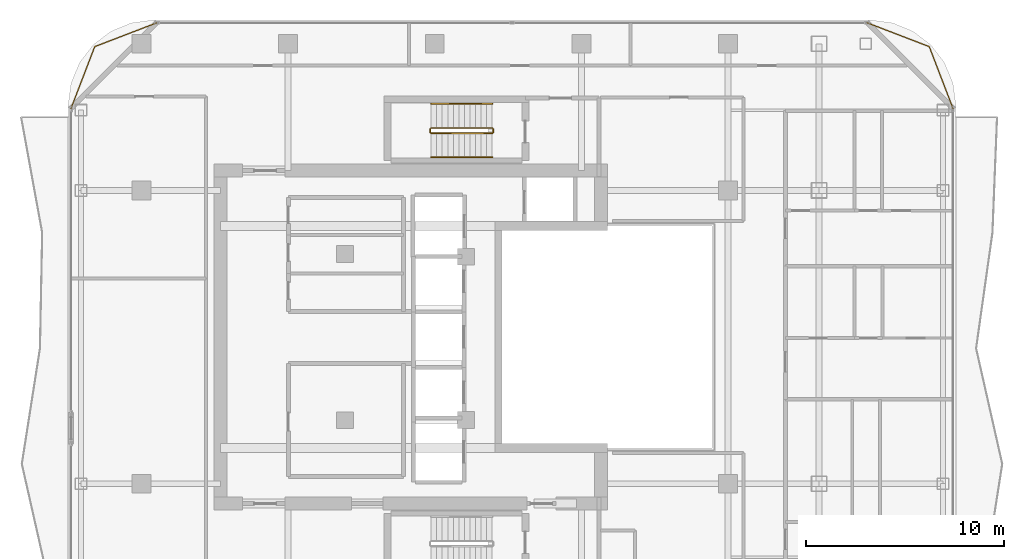
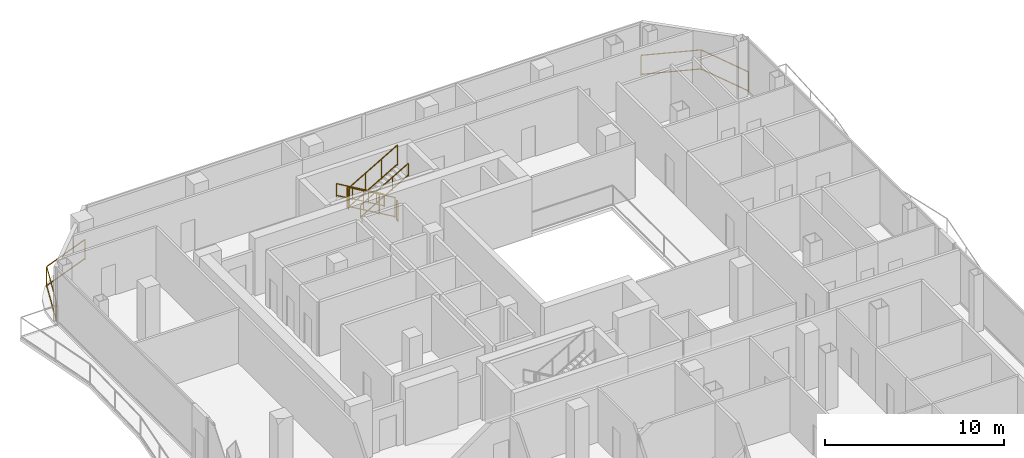
# One storey, part 27 of 27: 8 railings.
"""IFC4 building model written with IfcOpenShell, lengths in metres."""

from ifc_helpers import new_model, si_unit, direction, frame, origin, origin_2d, place, context, subcontext, project, spatial, rectangle, extrude, material, type_object, element, save


model = new_model("IFC4")

# Units and contexts
model_context = context("Model", 3, precision=1e-05, world=origin(), true_north=direction((0.0, 1.0)))
body_context = subcontext(model_context, "Body", "Model", "MODEL_VIEW")
ifc_project = project(units=[si_unit("LENGTHUNIT", "METRE"), si_unit("AREAUNIT", "SQUARE_METRE"), si_unit("VOLUMEUNIT", "CUBIC_METRE"), si_unit("PLANEANGLEUNIT", "RADIAN"), si_unit("MASSUNIT", "GRAM", prefix="KILO")], contexts=[model_context])

# Site, building, storey
site_placement = place(None, origin())
site = spatial("IfcSite", under=ifc_project, at=site_placement, CompositionType="ELEMENT")
building_placement = place(site_placement, origin())
building = spatial("IfcBuilding", under=site, at=building_placement, Name="Khorvyn Point Tower", CompositionType="ELEMENT")
storey_placement = place(building_placement, frame((0.0, 0.0, 246.89990234375)))
storey = spatial("IfcBuildingStorey", under=building, at=storey_placement, Name="L60", CompositionType="ELEMENT", Elevation=246.89990234375)

# Railings
ifc_material_1 = material(Name="Anodised aluminium 6063-T6 and laminated safety glass", Category="aluminium")
railing_type_1 = type_object("IfcRailingType", Name="Laminated Glass and Aluminium Balcony Guardrail 1400", PredefinedType="BALUSTRADE", material=ifc_material_1)
railing_1_placement = place(storey_placement, frame((-13.981201171875, 15.874267578125, 0.0)))
element("IfcRailing", 1, at=railing_1_placement, inside=storey, type_object=railing_type_1, Name="L60 Rounded Corner Edge Guardrail NW", PredefinedType="BALUSTRADE", context=body_context, shape_type="SweptSolid", body=[
    extrude(rectangle(XDim=0.048095703125, YDim=0.048095703125, at=origin_2d()), frame((0.0, 0.0, 1.3759765625), z_axis=(-0.933589651443, -0.358343916815, 0.0), x_axis=(0.358343916815, -0.933589651443, 0.0)), (0.0, 0.0, 1.0), 3.400390625),
    extrude(rectangle(XDim=0.048095703125, YDim=0.048095703125, at=origin_2d()), frame((0.0, 0.0, 0.080078125), z_axis=(-0.933589651443, -0.358343916815, 0.0), x_axis=(0.358343916815, -0.933589651443, 0.0)), (0.0, 0.0, 1.0), 3.400390625),
    extrude(rectangle(XDim=0.048095703125, YDim=0.048095703125, at=origin_2d()), frame((-3.174560546875, -1.218505859375, 1.3759765625), z_axis=(-0.358343916815, -0.933589651443, 0.0), x_axis=(0.933589651443, -0.358343916815, 0.0)), (0.0, 0.0, 1.0), 3.400390625),
    extrude(rectangle(XDim=0.048095703125, YDim=0.048095703125, at=origin_2d()), frame((-3.174560546875, -1.218505859375, 0.080078125), z_axis=(-0.358343916815, -0.933589651443, 0.0), x_axis=(0.933589651443, -0.358343916815, 0.0)), (0.0, 0.0, 1.0), 3.400390625),
    extrude(rectangle(XDim=0.0419921875, YDim=0.0419921875, at=origin_2d()), origin(), (0.0, 0.0, 1.0), 1.351806640625),
    extrude(rectangle(XDim=0.0419921875, YDim=0.0419921875, at=origin_2d()), frame((-3.174560546875, -1.218505859375, 0.0)), (0.0, 0.0, 1.0), 1.351806640625),
    extrude(rectangle(XDim=0.0419921875, YDim=0.0419921875, at=origin_2d()), frame((-4.39306640625, -4.39306640625, 0.0)), (0.0, 0.0, 1.0), 1.351806640625),
])
railing_2_placement = place(storey_placement, frame((26.17431640625, 11.481201171875, 0.0)))
element("IfcRailing", 2, at=railing_2_placement, inside=storey, type_object=railing_type_1, Name="L60 Rounded Corner Edge Guardrail NE", PredefinedType="BALUSTRADE", context=body_context, shape_type="SweptSolid", body=[
    extrude(rectangle(XDim=0.048095703125, YDim=0.048095703125, at=origin_2d()), frame((0.0, 0.0, 1.3759765625), z_axis=(-0.358343916815, 0.933589651443, 0.0), x_axis=(-0.933589651443, -0.358343916815, 0.0)), (0.0, 0.0, 1.0), 3.400390625),
    extrude(rectangle(XDim=0.048095703125, YDim=0.048095703125, at=origin_2d()), frame((0.0, 0.0, 0.080078125), z_axis=(-0.358343916815, 0.933589651443, 0.0), x_axis=(-0.933589651443, -0.358343916815, 0.0)), (0.0, 0.0, 1.0), 3.400390625),
    extrude(rectangle(XDim=0.048095703125, YDim=0.048095703125, at=origin_2d()), frame((-1.218505859375, 3.174560546875, 1.3759765625), z_axis=(-0.933589651443, 0.358343916815, 0.0), x_axis=(-0.358343916815, -0.933589651443, 0.0)), (0.0, 0.0, 1.0), 3.400390625),
    extrude(rectangle(XDim=0.048095703125, YDim=0.048095703125, at=origin_2d()), frame((-1.218505859375, 3.174560546875, 0.080078125), z_axis=(-0.933589651443, 0.358343916815, 0.0), x_axis=(-0.358343916815, -0.933589651443, 0.0)), (0.0, 0.0, 1.0), 3.400390625),
    extrude(rectangle(XDim=0.0419921875, YDim=0.0419921875, at=origin_2d()), origin(), (0.0, 0.0, 1.0), 1.351806640625),
    extrude(rectangle(XDim=0.0419921875, YDim=0.0419921875, at=origin_2d()), frame((-1.218505859375, 3.174560546875, 0.0)), (0.0, 0.0, 1.0), 1.351806640625),
    extrude(rectangle(XDim=0.0419921875, YDim=0.0419921875, at=origin_2d()), frame((-4.39306640625, 4.39306640625, 0.0)), (0.0, 0.0, 1.0), 1.351806640625),
])
ifc_material_2 = material(Name="Stainless steel 1.4301", Category="steel")
railing_type_2 = type_object("IfcRailingType", Name="Stainless Steel 304 Stair Pitch Handrail 900", PredefinedType="HANDRAIL", material=ifc_material_2)
railing_3_placement = place(storey_placement, frame((2.89990234375, 11.77001953125, 0.16259765625)))
element("IfcRailing", 3, at=railing_3_placement, inside=storey, type_object=railing_type_2, Name="L60 ST-02 stair handrail 1", PredefinedType="HANDRAIL", context=body_context, shape_type="SweptSolid", body=[
    extrude(rectangle(XDim=0.048095703125, YDim=0.048095703125, at=origin_2d()), frame((0.0, 0.0, 0.8759765625), z_axis=(-0.864873446163, 0.0, 0.501989962173), x_axis=(0.0, -1.0, 0.0)), (0.0, 0.0, 1.0), 3.56103515625),
    extrude(rectangle(XDim=0.048095703125, YDim=0.048095703125, at=origin_2d()), frame((0.0, 0.0, 0.080078125), z_axis=(-0.864873446163, 0.0, 0.501989962173), x_axis=(0.0, -1.0, 0.0)), (0.0, 0.0, 1.0), 3.56103515625),
    extrude(rectangle(XDim=0.0419921875, YDim=0.0419921875, at=origin_2d()), origin(), (0.0, 0.0, 1.0), 0.851806640625),
    extrude(rectangle(XDim=0.0419921875, YDim=0.0419921875, at=origin_2d()), frame((-1.026611328125, 0.0, 0.595947265625)), (0.0, 0.0, 1.0), 0.851806640625),
    extrude(rectangle(XDim=0.0419921875, YDim=0.0419921875, at=origin_2d()), frame((-2.05322265625, 0.0, 1.191650390625)), (0.0, 0.0, 1.0), 0.851806640625),
    extrude(rectangle(XDim=0.0419921875, YDim=0.0419921875, at=origin_2d()), frame((-3.079833984375, 0.0, 1.78759765625)), (0.0, 0.0, 1.0), 0.851806640625),
])
railing_4_placement = place(storey_placement, frame((-0.179931640625, 9.070068359375, 2.112548828125)))
element("IfcRailing", 4, at=railing_4_placement, inside=storey, type_object=railing_type_2, Name="L60 ST-02 stair handrail 2", PredefinedType="HANDRAIL", context=body_context, shape_type="SweptSolid", body=[
    extrude(rectangle(XDim=0.048095703125, YDim=0.048095703125, at=origin_2d()), frame((0.0, 0.0, 0.8759765625), z_axis=(0.864873446163, 0.0, 0.501989962173), x_axis=(0.0, 1.0, 0.0)), (0.0, 0.0, 1.0), 3.56103515625),
    extrude(rectangle(XDim=0.048095703125, YDim=0.048095703125, at=origin_2d()), frame((0.0, 0.0, 0.080078125), z_axis=(0.864873446163, 0.0, 0.501989962173), x_axis=(0.0, 1.0, 0.0)), (0.0, 0.0, 1.0), 3.56103515625),
    extrude(rectangle(XDim=0.0419921875, YDim=0.0419921875, at=origin_2d()), origin(), (0.0, 0.0, 1.0), 0.851806640625),
    extrude(rectangle(XDim=0.0419921875, YDim=0.0419921875, at=origin_2d()), frame((1.026611328125, 0.0, 0.595947265625)), (0.0, 0.0, 1.0), 0.851806640625),
    extrude(rectangle(XDim=0.0419921875, YDim=0.0419921875, at=origin_2d()), frame((2.05322265625, 0.0, 1.191650390625)), (0.0, 0.0, 1.0), 0.851806640625),
    extrude(rectangle(XDim=0.0419921875, YDim=0.0419921875, at=origin_2d()), frame((3.079833984375, 0.0, 1.78759765625)), (0.0, 0.0, 1.0), 0.851806640625),
])
railing_type_3 = type_object("IfcRailingType", Name="Stainless Steel 304 Stair Well Guardrail 1400", PredefinedType="GUARDRAIL", material=ifc_material_2)
railing_5_placement = place(storey_placement, frame((2.89990234375, 10.550048828125, 0.16259765625)))
element("IfcRailing", 5, at=railing_5_placement, inside=storey, type_object=railing_type_3, Name="L60 ST-02 stair guard 1", PredefinedType="GUARDRAIL", context=body_context, shape_type="SweptSolid", body=[
    extrude(rectangle(XDim=0.048095703125, YDim=0.048095703125, at=origin_2d()), frame((0.0, 0.0, 1.3759765625), z_axis=(-0.864873446163, 0.0, 0.501989962173), x_axis=(0.0, -1.0, 0.0)), (0.0, 0.0, 1.0), 3.56103515625),
    extrude(rectangle(XDim=0.048095703125, YDim=0.048095703125, at=origin_2d()), frame((0.0, 0.0, 0.080078125), z_axis=(-0.864873446163, 0.0, 0.501989962173), x_axis=(0.0, -1.0, 0.0)), (0.0, 0.0, 1.0), 3.56103515625),
    extrude(rectangle(XDim=0.0419921875, YDim=0.0419921875, at=origin_2d()), origin(), (0.0, 0.0, 1.0), 1.351806640625),
    extrude(rectangle(XDim=0.0419921875, YDim=0.0419921875, at=origin_2d()), frame((-1.026611328125, 0.0, 0.595947265625)), (0.0, 0.0, 1.0), 1.351806640625),
    extrude(rectangle(XDim=0.0419921875, YDim=0.0419921875, at=origin_2d()), frame((-2.05322265625, 0.0, 1.191650390625)), (0.0, 0.0, 1.0), 1.351806640625),
    extrude(rectangle(XDim=0.0419921875, YDim=0.0419921875, at=origin_2d()), frame((-3.079833984375, 0.0, 1.78759765625)), (0.0, 0.0, 1.0), 1.351806640625),
])
railing_6_placement = place(storey_placement, frame((-0.22998046875, 10.5, 1.9501953125)))
element("IfcRailing", 6, at=railing_6_placement, inside=storey, type_object=railing_type_3, Name="L60 ST-02 stair guard 2", PredefinedType="GUARDRAIL", context=body_context, shape_type="SweptSolid", body=[
    extrude(rectangle(XDim=0.048095703125, YDim=0.048095703125, at=origin_2d()), frame((0.0, 0.0, 1.3759765625), z_axis=(0.0, -1.0, 0.0), x_axis=(1.0, 0.0, 0.0)), (0.0, 0.0, 1.0), 0.159912109375),
    extrude(rectangle(XDim=0.048095703125, YDim=0.048095703125, at=origin_2d()), frame((0.0, 0.0, 0.080078125), z_axis=(0.0, -1.0, 0.0), x_axis=(1.0, 0.0, 0.0)), (0.0, 0.0, 1.0), 0.159912109375),
    extrude(rectangle(XDim=0.0419921875, YDim=0.0419921875, at=origin_2d()), origin(), (0.0, 0.0, 1.0), 1.351806640625),
    extrude(rectangle(XDim=0.0419921875, YDim=0.0419921875, at=origin_2d()), frame((0.0, -0.159912109375, 0.0)), (0.0, 0.0, 1.0), 1.351806640625),
])
railing_7_placement = place(storey_placement, frame((-0.179931640625, 10.2900390625, 2.112548828125)))
element("IfcRailing", 7, at=railing_7_placement, inside=storey, type_object=railing_type_3, Name="L60 ST-02 stair guard 3", PredefinedType="GUARDRAIL", context=body_context, shape_type="SweptSolid", body=[
    extrude(rectangle(XDim=0.048095703125, YDim=0.048095703125, at=origin_2d()), frame((0.0, 0.0, 1.3759765625), z_axis=(0.864873446163, 0.0, 0.501989962173), x_axis=(0.0, 1.0, 0.0)), (0.0, 0.0, 1.0), 3.56103515625),
    extrude(rectangle(XDim=0.048095703125, YDim=0.048095703125, at=origin_2d()), frame((0.0, 0.0, 0.080078125), z_axis=(0.864873446163, 0.0, 0.501989962173), x_axis=(0.0, 1.0, 0.0)), (0.0, 0.0, 1.0), 3.56103515625),
    extrude(rectangle(XDim=0.0419921875, YDim=0.0419921875, at=origin_2d()), origin(), (0.0, 0.0, 1.0), 1.351806640625),
    extrude(rectangle(XDim=0.0419921875, YDim=0.0419921875, at=origin_2d()), frame((1.026611328125, 0.0, 0.595947265625)), (0.0, 0.0, 1.0), 1.351806640625),
    extrude(rectangle(XDim=0.0419921875, YDim=0.0419921875, at=origin_2d()), frame((2.05322265625, 0.0, 1.191650390625)), (0.0, 0.0, 1.0), 1.351806640625),
    extrude(rectangle(XDim=0.0419921875, YDim=0.0419921875, at=origin_2d()), frame((3.079833984375, 0.0, 1.78759765625)), (0.0, 0.0, 1.0), 1.351806640625),
])
railing_8_placement = place(storey_placement, frame((2.949951171875, 10.5, 0.0)))
element("IfcRailing", 8, at=railing_8_placement, inside=storey, type_object=railing_type_3, Name="L60 ST-02 stair guard 4", PredefinedType="GUARDRAIL", context=body_context, shape_type="SweptSolid", body=[
    extrude(rectangle(XDim=0.048095703125, YDim=0.048095703125, at=origin_2d()), frame((0.0, 0.0, 1.3759765625), z_axis=(0.0, -1.0, 0.0), x_axis=(1.0, 0.0, 0.0)), (0.0, 0.0, 1.0), 0.159912109375),
    extrude(rectangle(XDim=0.048095703125, YDim=0.048095703125, at=origin_2d()), frame((0.0, 0.0, 0.080078125), z_axis=(0.0, -1.0, 0.0), x_axis=(1.0, 0.0, 0.0)), (0.0, 0.0, 1.0), 0.159912109375),
    extrude(rectangle(XDim=0.0419921875, YDim=0.0419921875, at=origin_2d()), origin(), (0.0, 0.0, 1.0), 1.351806640625),
    extrude(rectangle(XDim=0.0419921875, YDim=0.0419921875, at=origin_2d()), frame((0.0, -0.159912109375, 0.0)), (0.0, 0.0, 1.0), 1.351806640625),
])

save(model, "model.ifc")
